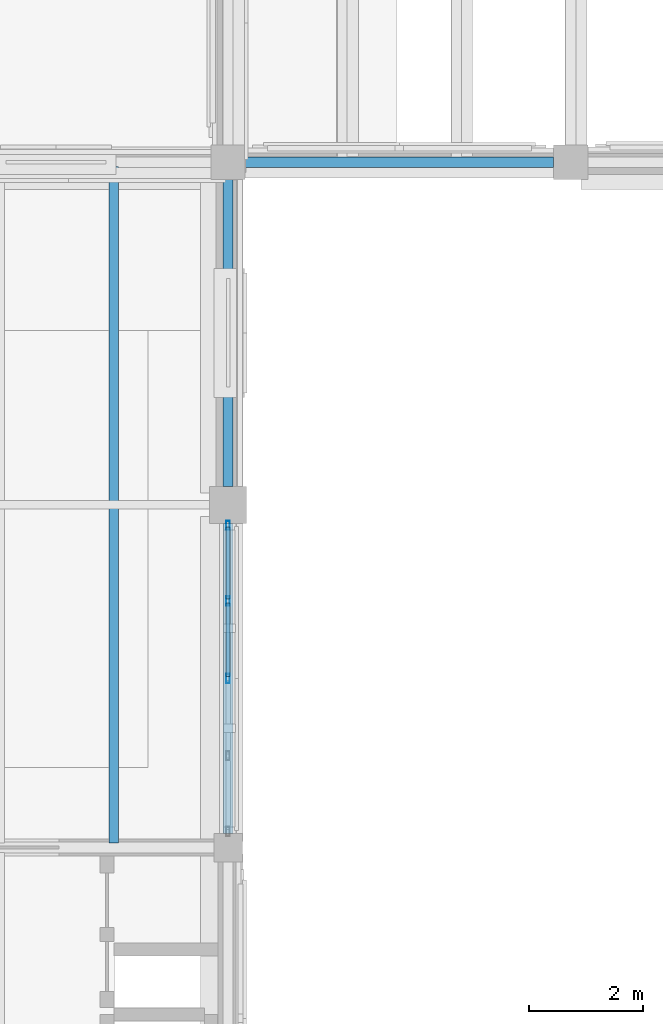
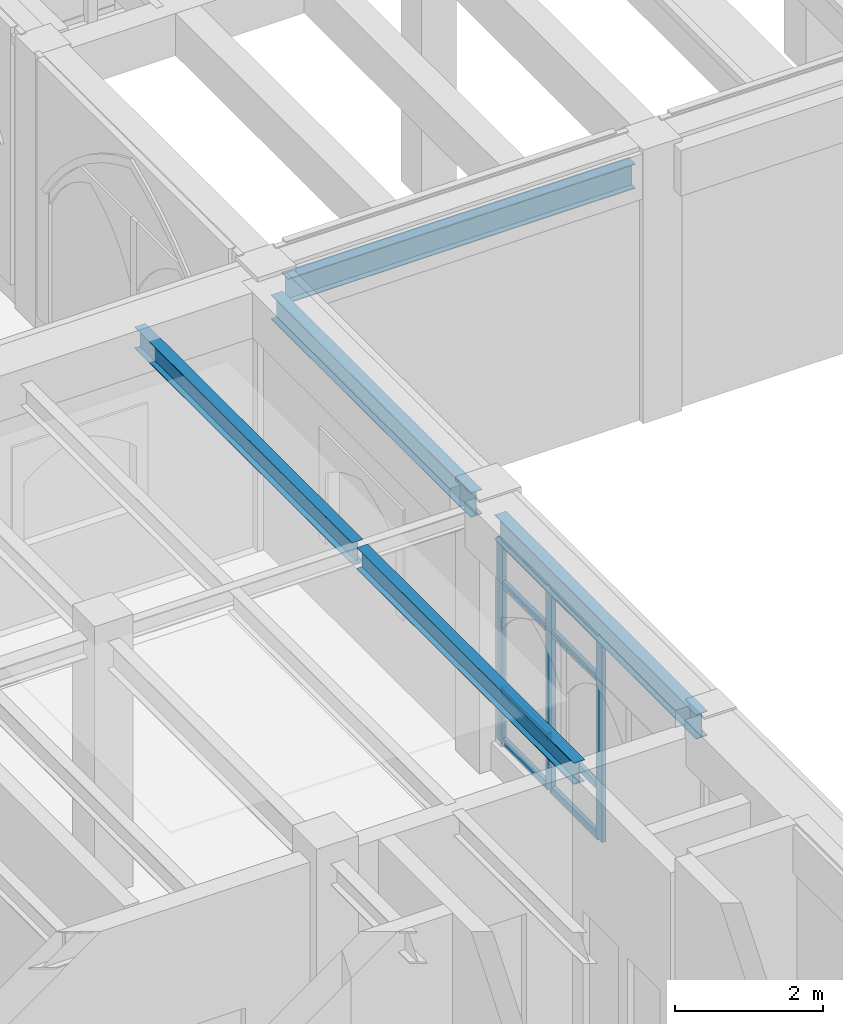
# One storey, part 25 of 127: 11 members, 5 beams, 1 element without a shape of its own.
"""IFC4 building model written with IfcOpenShell, lengths in metres."""

from ifc_helpers import new_model, si_unit, direction, frame, origin, origin_2d, place, context, subcontext, project, spatial, hollow_rectangle, i_section, extrude, material, layer, layer_set, material_profile, profile_set, type_object, element, aggregate, save


model = new_model("IFC4")

# Units and contexts
model_context = context("Model", 3, precision=1e-05, world=origin(), true_north=direction((0.0, 1.0)))
body_context = subcontext(model_context, "Body", "Model", "MODEL_VIEW")
ifc_project = project(units=[si_unit("LENGTHUNIT", "METRE"), si_unit("AREAUNIT", "SQUARE_METRE"), si_unit("VOLUMEUNIT", "CUBIC_METRE"), si_unit("PLANEANGLEUNIT", "RADIAN"), si_unit("MASSUNIT", "GRAM", prefix="KILO")], contexts=[model_context])

# Site, building, storey
site_placement = place(None, origin())
site = spatial("IfcSite", under=ifc_project, at=site_placement, CompositionType="ELEMENT")
building_placement = place(site_placement, origin())
building = spatial("IfcBuilding", under=site, at=building_placement, Name="Cumevento Cable Car Station", CompositionType="ELEMENT")
storey_placement = place(building_placement, frame((0.0, 0.0, 4.5)))
storey = spatial("IfcBuildingStorey", under=building, at=storey_placement, Name="L02", CompositionType="ELEMENT", Elevation=4.5)

# Curtain wall, members
ifc_material_1 = material(Name="Anodised Bronze Aluminium AW-6063-T6", Category="aluminium")
ifc_layer = layer(ifc_material_1, 0.196044921875)
ifc_layer_set = layer_set([ifc_layer], Name="Anodised Bronze Aluminium AW-6063-T6")
curtain_wall_type = type_object("IfcCurtainWallType", Name="Lancet Curtain Wall CW-07 1290", PredefinedType="NOTDEFINED", material=ifc_layer_set)
curtain_wall_placement = place(storey_placement, origin())
curtain_wall = element("IfcCurtainWall", 1, at=curtain_wall_placement, inside=storey, type_object=curtain_wall_type, Name="Lancet Curtain Wall CW-07 L02 #54", PredefinedType="NOTDEFINED")
ifc_material_2 = material(Name="Anodised Bronze Aluminium AW-6063-T6", Category="aluminium")
ifc_material_profile_1 = material_profile(ifc_material_2, hollow_rectangle(XDim=0.06494140625, YDim=0.159912109375, WallThickness=0.00390625, at=origin_2d()), Name="ALUM65x160x4")
ifc_profile_set_1 = profile_set([ifc_material_profile_1], Name="Anodised Bronze Aluminium AW-6063-T6")
member_type_1 = type_object("IfcMemberType", Name="Curtain Mullion CWM-01 ALUM65x160x4", PredefinedType="MULLION", material=ifc_profile_set_1)
member_1_placement = place(storey_placement, frame((22.0, 38.642578125, 0.4599609375), z_axis=(0.0, 0.0, 1.0), x_axis=(1.0, 0.0, 0.0)))
member_1 = element("IfcMember", 2, at=member_1_placement, type_object=member_type_1, Name="CW-07 mullion 1", PredefinedType="MULLION", context=body_context, shape_type="SweptSolid", body=[
    extrude(hollow_rectangle(XDim=0.06494140625, YDim=0.159912109375, WallThickness=0.00390625, at=origin_2d()), origin(), (0.0, 0.0, 1.0), 3.318115234375),
])
member_2_placement = place(storey_placement, frame((22.0, 37.31884765625, 0.4599609375), z_axis=(0.0, 0.0, 1.0), x_axis=(1.0, 0.0, 0.0)))
member_2 = element("IfcMember", 3, at=member_2_placement, type_object=member_type_1, Name="CW-07 mullion 2", PredefinedType="MULLION", context=body_context, shape_type="SweptSolid", body=[
    extrude(hollow_rectangle(XDim=0.06494140625, YDim=0.159912109375, WallThickness=0.00390625, at=origin_2d()), origin(), (0.0, 0.0, 1.0), 3.318115234375),
])
member_3_placement = place(storey_placement, frame((22.0, 35.96240234375, 0.4599609375), z_axis=(0.0, 0.0, 1.0), x_axis=(1.0, 0.0, 0.0)))
member_3 = element("IfcMember", 4, at=member_3_placement, type_object=member_type_1, Name="CW-07 mullion 3", PredefinedType="MULLION", context=body_context, shape_type="SweptSolid", body=[
    extrude(hollow_rectangle(XDim=0.06494140625, YDim=0.159912109375, WallThickness=0.00390625, at=origin_2d()), origin(), (0.0, 0.0, 1.0), 3.318115234375),
])
ifc_material_3 = material(Name="Anodised Bronze Aluminium AW-6063-T6", Category="aluminium")
ifc_material_profile_2 = material_profile(ifc_material_3, hollow_rectangle(XDim=0.06494140625, YDim=0.1201171875, WallThickness=0.00390625, at=origin_2d()), Name="ALUT65x120x4")
ifc_profile_set_2 = profile_set([ifc_material_profile_2], Name="Anodised Bronze Aluminium AW-6063-T6")
member_type_2 = type_object("IfcMemberType", Name="Curtain Transom CWT-01 ALUT65x120x4", PredefinedType="USERDEFINED", material=ifc_profile_set_2)
member_4_placement = place(storey_placement, frame((22.0, 38.610107421875, 0.492431640625), z_axis=(0.0, -1.0, 0.0), x_axis=(1.0, 0.0, 0.0)))
member_4 = element("IfcMember", 5, at=member_4_placement, type_object=member_type_2, Name="CW-07 transom 1.1", ObjectType="TRANSOM", PredefinedType="USERDEFINED", context=body_context, shape_type="SweptSolid", body=[
    extrude(hollow_rectangle(XDim=0.06494140625, YDim=0.1201171875, WallThickness=0.00390625, at=origin_2d()), origin(), (0.0, 0.0, 1.0), 1.2587890625),
])
member_5_placement = place(storey_placement, frame((22.0, 38.610107421875, 1.31005859375), z_axis=(0.0, -1.0, 0.0), x_axis=(1.0, 0.0, 0.0)))
member_5 = element("IfcMember", 6, at=member_5_placement, type_object=member_type_2, Name="CW-07 transom 1.2", ObjectType="TRANSOM", PredefinedType="USERDEFINED", context=body_context, shape_type="SweptSolid", body=[
    extrude(hollow_rectangle(XDim=0.06494140625, YDim=0.1201171875, WallThickness=0.00390625, at=origin_2d()), origin(), (0.0, 0.0, 1.0), 1.2587890625),
])
member_6_placement = place(storey_placement, frame((22.0, 38.610107421875, 3.077880859375), z_axis=(0.0, -1.0, 0.0), x_axis=(1.0, 0.0, 0.0)))
member_6 = element("IfcMember", 7, at=member_6_placement, type_object=member_type_2, Name="CW-07 transom 1.3", ObjectType="TRANSOM", PredefinedType="USERDEFINED", context=body_context, shape_type="SweptSolid", body=[
    extrude(hollow_rectangle(XDim=0.06494140625, YDim=0.1201171875, WallThickness=0.00390625, at=origin_2d()), origin(), (0.0, 0.0, 1.0), 1.2587890625),
])
member_7_placement = place(storey_placement, frame((22.0, 38.610107421875, 3.74560546875), z_axis=(0.0, -1.0, 0.0), x_axis=(1.0, 0.0, 0.0)))
member_7 = element("IfcMember", 8, at=member_7_placement, type_object=member_type_2, Name="CW-07 transom 1.4", ObjectType="TRANSOM", PredefinedType="USERDEFINED", context=body_context, shape_type="SweptSolid", body=[
    extrude(hollow_rectangle(XDim=0.06494140625, YDim=0.1201171875, WallThickness=0.00390625, at=origin_2d()), origin(), (0.0, 0.0, 1.0), 1.2587890625),
])
member_8_placement = place(storey_placement, frame((22.0, 37.2861328125, 0.492431640625), z_axis=(0.0, -1.0, 0.0), x_axis=(1.0, 0.0, 0.0)))
member_8 = element("IfcMember", 9, at=member_8_placement, type_object=member_type_2, Name="CW-07 transom 2.1", ObjectType="TRANSOM", PredefinedType="USERDEFINED", context=body_context, shape_type="SweptSolid", body=[
    extrude(hollow_rectangle(XDim=0.06494140625, YDim=0.1201171875, WallThickness=0.00390625, at=origin_2d()), origin(), (0.0, 0.0, 1.0), 1.291015625),
])
member_9_placement = place(storey_placement, frame((22.0, 37.2861328125, 1.31005859375), z_axis=(0.0, -1.0, 0.0), x_axis=(1.0, 0.0, 0.0)))
member_9 = element("IfcMember", 10, at=member_9_placement, type_object=member_type_2, Name="CW-07 transom 2.2", ObjectType="TRANSOM", PredefinedType="USERDEFINED", context=body_context, shape_type="SweptSolid", body=[
    extrude(hollow_rectangle(XDim=0.06494140625, YDim=0.1201171875, WallThickness=0.00390625, at=origin_2d()), origin(), (0.0, 0.0, 1.0), 1.291015625),
])
member_10_placement = place(storey_placement, frame((22.0, 37.2861328125, 3.077880859375), z_axis=(0.0, -1.0, 0.0), x_axis=(1.0, 0.0, 0.0)))
member_10 = element("IfcMember", 11, at=member_10_placement, type_object=member_type_2, Name="CW-07 transom 2.3", ObjectType="TRANSOM", PredefinedType="USERDEFINED", context=body_context, shape_type="SweptSolid", body=[
    extrude(hollow_rectangle(XDim=0.06494140625, YDim=0.1201171875, WallThickness=0.00390625, at=origin_2d()), origin(), (0.0, 0.0, 1.0), 1.291015625),
])
member_11_placement = place(storey_placement, frame((22.0, 37.2861328125, 3.74560546875), z_axis=(0.0, -1.0, 0.0), x_axis=(1.0, 0.0, 0.0)))
member_11 = element("IfcMember", 12, at=member_11_placement, type_object=member_type_2, Name="CW-07 transom 2.4", ObjectType="TRANSOM", PredefinedType="USERDEFINED", context=body_context, shape_type="SweptSolid", body=[
    extrude(hollow_rectangle(XDim=0.06494140625, YDim=0.1201171875, WallThickness=0.00390625, at=origin_2d()), origin(), (0.0, 0.0, 1.0), 1.291015625),
])
aggregate(curtain_wall, [member_1, member_2, member_3, member_4, member_5, member_6, member_7, member_8, member_9, member_10, member_11])

# Beams
ifc_material_4 = material(Name="Steel ASTM A572 Grade 50", Category="steel")
ifc_material_profile_3 = material_profile(ifc_material_4, i_section(OverallWidth=0.1708984375, OverallDepth=0.35498046875, WebThickness=0.007080078125, FlangeThickness=0.01171875, at=origin_2d()), Name="W360x51.0")
ifc_profile_set_3 = profile_set([ifc_material_profile_3], Name="Steel ASTM A572 Grade 50")
beam_type_1 = type_object("IfcBeamType", Name="Structural Joist JS-01 W360x51.0", PredefinedType="JOIST", material=ifc_profile_set_3)
beam_1_placement = place(storey_placement, frame((20.0, 33.083984375, 4.007568359375), z_axis=(0.0, 1.0, 0.0), x_axis=(-1.0, 0.0, 0.0)))
element("IfcBeam", 13, at=beam_1_placement, inside=storey, type_object=beam_type_1, Name="Composite Floor Joist JS-01 L02 #786", PredefinedType="JOIST", context=body_context, shape_type="SweptSolid", body=[
    extrude(i_section(OverallWidth=0.1708984375, OverallDepth=0.35498046875, WebThickness=0.007080078125, FlangeThickness=0.01171875, at=origin_2d()), origin(), (0.0, 0.0, 1.0), 5.85400390625),
])
beam_2_placement = place(storey_placement, frame((20.0, 39.06201171875, 4.007568359375), z_axis=(0.0, 1.0, 0.0), x_axis=(-1.0, 0.0, 0.0)))
element("IfcBeam", 14, at=beam_2_placement, inside=storey, type_object=beam_type_1, Name="Composite Floor Joist JS-01 L02 #787", PredefinedType="JOIST", context=body_context, shape_type="SweptSolid", body=[
    extrude(i_section(OverallWidth=0.1708984375, OverallDepth=0.35498046875, WebThickness=0.007080078125, FlangeThickness=0.01171875, at=origin_2d()), origin(), (0.0, 0.0, 1.0), 5.861083984375),
])
ifc_material_5 = material(Name="Steel ASTM A572 Grade 50", Category="steel")
ifc_material_profile_4 = material_profile(ifc_material_5, i_section(OverallWidth=0.177978515625, OverallDepth=0.406982421875, WebThickness=0.0078125, FlangeThickness=0.0126953125, at=origin_2d()), Name="W410x60.0")
ifc_profile_set_4 = profile_set([ifc_material_profile_4], Name="Steel ASTM A572 Grade 50")
beam_type_2 = type_object("IfcBeamType", Name="Structural Spandrel SP-01 W410x60.0", PredefinedType="SPANDREL", material=ifc_profile_set_4)
beam_3_placement = place(storey_placement, frame((22.0, 33.25, 3.9814453125), z_axis=(0.0, 1.0, 0.0), x_axis=(-1.0, 0.0, 0.0)))
element("IfcBeam", 15, at=beam_3_placement, inside=storey, type_object=beam_type_2, Name="Beam SP-01 L02 #547", PredefinedType="SPANDREL", context=body_context, shape_type="SweptSolid", body=[
    extrude(i_section(OverallWidth=0.177978515625, OverallDepth=0.406982421875, WebThickness=0.0078125, FlangeThickness=0.0126953125, at=origin_2d()), origin(), (0.0, 0.0, 1.0), 5.425048828125),
])
beam_4_placement = place(storey_placement, frame((22.0, 39.324951171875, 3.946533203125), z_axis=(0.0, 1.0, 0.0), x_axis=(-1.0, 0.0, 0.0)))
element("IfcBeam", 16, at=beam_4_placement, inside=storey, type_object=beam_type_2, Name="Beam SP-01 L02 #548", PredefinedType="SPANDREL", context=body_context, shape_type="SweptSolid", body=[
    extrude(i_section(OverallWidth=0.177978515625, OverallDepth=0.406982421875, WebThickness=0.0078125, FlangeThickness=0.0126953125, at=origin_2d()), origin(), (0.0, 0.0, 1.0), 5.375),
])
beam_5_placement = place(storey_placement, frame((22.300048828125, 45.0, 3.946533203125), z_axis=(1.0, 0.0, 0.0), x_axis=(0.0, 1.0, 0.0)))
element("IfcBeam", 17, at=beam_5_placement, inside=storey, type_object=beam_type_2, Name="Beam SP-01 L02 #549", PredefinedType="SPANDREL", context=body_context, shape_type="SweptSolid", body=[
    extrude(i_section(OverallWidth=0.177978515625, OverallDepth=0.406982421875, WebThickness=0.0078125, FlangeThickness=0.0126953125, at=origin_2d()), origin(), (0.0, 0.0, 1.0), 5.39990234375),
])

save(model, "model.ifc")
